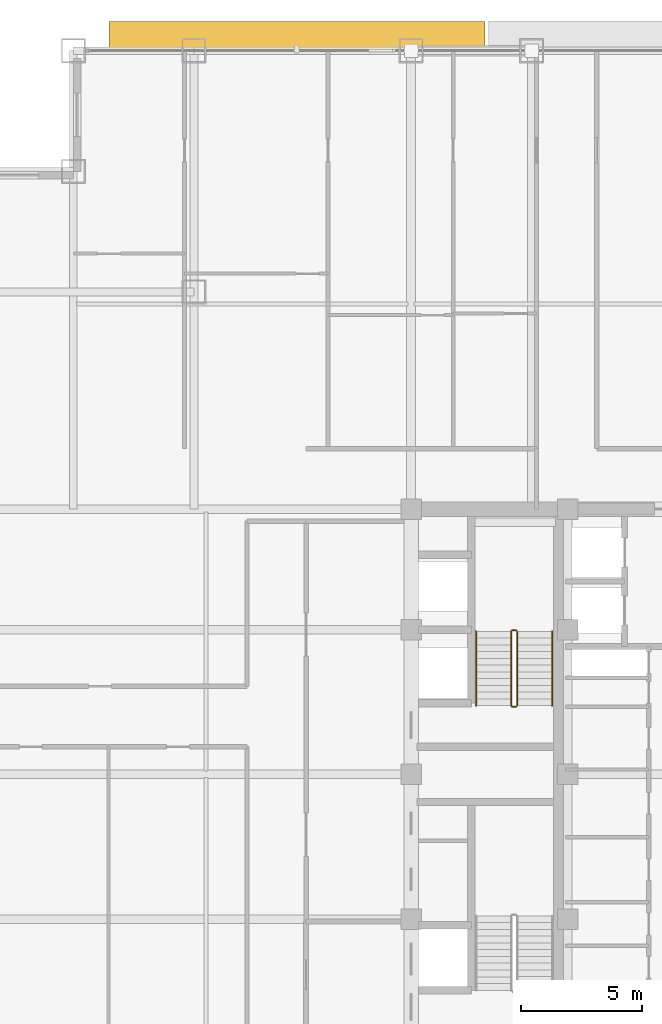
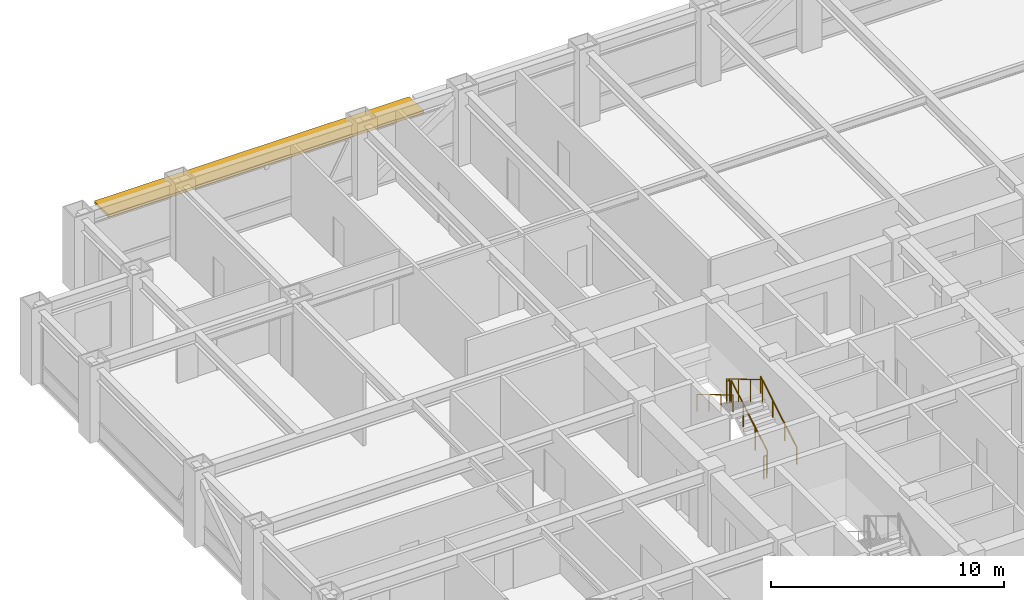
# One storey, part 28 of 29: 6 railings, 1 shading device.
"""IFC4 building model written with IfcOpenShell, lengths in metres."""

from ifc_helpers import new_model, si_unit, direction, frame, origin, origin_2d, place, context, subcontext, project, spatial, rectangle, circle, extrude, source, transform, mapped, material, layer, layer_set, type_object, element, save


model = new_model("IFC4")

# Units and contexts
model_context = context("Model", 3, precision=1e-05, world=origin(), true_north=direction((0.0, 1.0)))
body_context = subcontext(model_context, "Body", "Model", "MODEL_VIEW")
ifc_project = project(units=[si_unit("LENGTHUNIT", "METRE"), si_unit("AREAUNIT", "SQUARE_METRE"), si_unit("VOLUMEUNIT", "CUBIC_METRE"), si_unit("PLANEANGLEUNIT", "RADIAN"), si_unit("MASSUNIT", "GRAM", prefix="KILO")], contexts=[model_context])

# Site, building, storey
site_placement = place(None, origin())
site = spatial("IfcSite", under=ifc_project, at=site_placement, CompositionType="ELEMENT")
building_placement = place(site_placement, origin())
building = spatial("IfcBuilding", under=site, at=building_placement, Name="Khorayat Bourse Tower", CompositionType="ELEMENT")
storey_placement = place(building_placement, frame((0.0, 0.0, 235.10009765625)))
storey = spatial("IfcBuildingStorey", under=building, at=storey_placement, Name="L55", CompositionType="ELEMENT", Elevation=235.10009765625)

# Shading device
ifc_material_1 = material(Name="Precast concrete C45/55", Category="concrete")
ifc_layer = layer(ifc_material_1, 0.139892578125)
ifc_layer_set = layer_set([ifc_layer], Name="Precast concrete C45/55")
shading_device_type = type_object("IfcShadingDeviceType", Name="SHD-WAVE-TRAY-A", PredefinedType="USERDEFINED", material=ifc_layer_set)
shared_shape_1 = source(origin(), body_context, "Body", "SweptSolid", [
    extrude(rectangle(XDim=15.59326171875, YDim=1.223876953125, at=origin_2d()), origin(), (0.0, 0.0, 1.0), 0.139892578125),
])
shading_device_placement = place(storey_placement, frame((-15.7333984375, 30.592041015625, 3.02978515625), z_axis=(0.0, 0.0, 1.0), x_axis=(1.0, 0.0, 0.0)))
element("IfcShadingDevice", 1, at=shading_device_placement, inside=storey, type_object=shading_device_type, Name="L55 Sinusoidal Wave Sunshade Tray N-1", ObjectType="SUNSHADE", PredefinedType="USERDEFINED", context=body_context, shape_type="MappedRepresentation", body=[
    mapped(shared_shape_1, transform((0.0, 0.0, 0.0), scale=1.0)),
])

# Railings
ifc_material_2 = material(Name="Powder-coated steel balustrade", Category="steel")
railing_type_1 = type_object("IfcRailingType", Name="RLG-GUARD-1200", PredefinedType="GUARDRAIL", material=ifc_material_2)
shared_shape_2 = source(origin(), body_context, "Body", "SweptSolid", [
    extrude(circle(Radius=0.02392578125, at=origin_2d()), frame((0.0, 0.0, 1.17578125), z_axis=(-1.0, 0.0, 0.0), x_axis=(0.0, -1.0, 0.0)), (0.0, 0.0, 1.0), 0.150146484375),
    extrude(circle(Radius=0.02099609375, at=origin_2d()), origin(), (0.0, 0.0, 1.0), 1.15185546875),
    extrude(circle(Radius=0.02099609375, at=origin_2d()), frame((-0.150146484375, 0.0, 0.0)), (0.0, 0.0, 1.0), 1.15185546875),
])
for number, where, name in (
    (2, (-6.64990234375, 5.97998046875, 2.0), "L55 ST-2 stair guard 2"),
    (3, (-6.64990234375, 2.800048828125, 0.0), "L55 ST-2 stair guard 4"),
):
    element("IfcRailing", number, at=place(storey_placement, frame(where)), inside=storey, type_object=railing_type_1, Name=name, PredefinedType="GUARDRAIL", context=body_context, shape_type="MappedRepresentation", body=[
        mapped(shared_shape_2, transform((0.0, 0.0, 0.0), scale=1.0)),
    ])
shared_shape_3 = source(origin(), body_context, "Body", "SweptSolid", [
    extrude(circle(Radius=0.02392578125, at=origin_2d()), frame((0.0, 0.0, 1.17578125), z_axis=(0.0, 0.859260807169, 0.511537745687), x_axis=(-1.0, 0.0, 0.0)), (0.0, 0.0, 1.0), 3.584228515625),
    extrude(circle(Radius=0.02099609375, at=origin_2d()), origin(), (0.0, 0.0, 1.0), 1.15185546875),
    extrude(circle(Radius=0.02099609375, at=origin_2d()), frame((0.0, 1.026611328125, 0.611083984375)), (0.0, 0.0, 1.0), 1.15185546875),
    extrude(circle(Radius=0.02099609375, at=origin_2d()), frame((0.0, 2.05322265625, 1.222412109375)), (0.0, 0.0, 1.0), 1.15185546875),
    extrude(circle(Radius=0.02099609375, at=origin_2d()), frame((0.0, 3.079833984375, 1.83349609375)), (0.0, 0.0, 1.0), 1.15185546875),
])
railing_1_placement = place(storey_placement, frame((-6.60009765625, 2.85009765625, 0.16650390625)))
element("IfcRailing", 4, at=railing_1_placement, inside=storey, type_object=railing_type_1, Name="L55 ST-2 stair guard 1", PredefinedType="GUARDRAIL", context=body_context, shape_type="MappedRepresentation", body=[
    mapped(shared_shape_3, transform((0.0, 0.0, 0.0), scale=1.0)),
])
shared_shape_4 = source(origin(), body_context, "Body", "SweptSolid", [
    extrude(circle(Radius=0.02392578125, at=origin_2d()), frame((0.0, 0.0, 1.17578125), z_axis=(0.0, -0.859260807169, 0.511537745687), x_axis=(1.0, 0.0, 0.0)), (0.0, 0.0, 1.0), 3.584228515625),
    extrude(circle(Radius=0.02099609375, at=origin_2d()), origin(), (0.0, 0.0, 1.0), 1.15185546875),
    extrude(circle(Radius=0.02099609375, at=origin_2d()), frame((0.0, -1.026611328125, 0.611083984375)), (0.0, 0.0, 1.0), 1.15185546875),
    extrude(circle(Radius=0.02099609375, at=origin_2d()), frame((0.0, -2.05322265625, 1.222412109375)), (0.0, 0.0, 1.0), 1.15185546875),
    extrude(circle(Radius=0.02099609375, at=origin_2d()), frame((0.0, -3.079833984375, 1.83349609375)), (0.0, 0.0, 1.0), 1.15185546875),
])
railing_2_placement = place(storey_placement, frame((-6.85009765625, 5.929931640625, 2.16650390625)))
element("IfcRailing", 5, at=railing_2_placement, inside=storey, type_object=railing_type_1, Name="L55 ST-2 stair guard 3", PredefinedType="GUARDRAIL", context=body_context, shape_type="MappedRepresentation", body=[
    mapped(shared_shape_4, transform((0.0, 0.0, 0.0), scale=1.0)),
])
ifc_material_3 = material(Name="Brushed bronze stainless-steel handrail", Category="steel")
railing_type_2 = type_object("IfcRailingType", Name="RLG-HAND-900", PredefinedType="HANDRAIL", material=ifc_material_3)
shared_shape_5 = source(origin(), body_context, "Body", "SweptSolid", [
    extrude(circle(Radius=0.02392578125, at=origin_2d()), frame((0.0, 0.0, 0.8759765625), z_axis=(0.0, 0.859260807169, 0.511537745687), x_axis=(-1.0, 0.0, 0.0)), (0.0, 0.0, 1.0), 3.584228515625),
    extrude(circle(Radius=0.02099609375, at=origin_2d()), origin(), (0.0, 0.0, 1.0), 0.851806640625),
    extrude(circle(Radius=0.02099609375, at=origin_2d()), frame((0.0, 1.026611328125, 0.611083984375)), (0.0, 0.0, 1.0), 0.851806640625),
    extrude(circle(Radius=0.02099609375, at=origin_2d()), frame((0.0, 2.05322265625, 1.222412109375)), (0.0, 0.0, 1.0), 0.851806640625),
    extrude(circle(Radius=0.02099609375, at=origin_2d()), frame((0.0, 3.079833984375, 1.83349609375)), (0.0, 0.0, 1.0), 0.851806640625),
])
railing_3_placement = place(storey_placement, frame((-5.14990234375, 2.85009765625, 0.16650390625)))
element("IfcRailing", 6, at=railing_3_placement, inside=storey, type_object=railing_type_2, Name="L55 ST-2 stair handrail 1", PredefinedType="HANDRAIL", context=body_context, shape_type="MappedRepresentation", body=[
    mapped(shared_shape_5, transform((0.0, 0.0, 0.0), scale=1.0)),
])
shared_shape_6 = source(origin(), body_context, "Body", "SweptSolid", [
    extrude(circle(Radius=0.02392578125, at=origin_2d()), frame((0.0, 0.0, 0.8759765625), z_axis=(0.0, -0.859260807169, 0.511537745687), x_axis=(1.0, 0.0, 0.0)), (0.0, 0.0, 1.0), 3.584228515625),
    extrude(circle(Radius=0.02099609375, at=origin_2d()), origin(), (0.0, 0.0, 1.0), 0.851806640625),
    extrude(circle(Radius=0.02099609375, at=origin_2d()), frame((0.0, -1.026611328125, 0.611083984375)), (0.0, 0.0, 1.0), 0.851806640625),
    extrude(circle(Radius=0.02099609375, at=origin_2d()), frame((0.0, -2.05322265625, 1.222412109375)), (0.0, 0.0, 1.0), 0.851806640625),
    extrude(circle(Radius=0.02099609375, at=origin_2d()), frame((0.0, -3.079833984375, 1.83349609375)), (0.0, 0.0, 1.0), 0.851806640625),
])
railing_4_placement = place(storey_placement, frame((-8.300048828125, 5.929931640625, 2.16650390625)))
element("IfcRailing", 7, at=railing_4_placement, inside=storey, type_object=railing_type_2, Name="L55 ST-2 stair handrail 2", PredefinedType="HANDRAIL", context=body_context, shape_type="MappedRepresentation", body=[
    mapped(shared_shape_6, transform((0.0, 0.0, 0.0), scale=1.0)),
])

save(model, "model.ifc")
